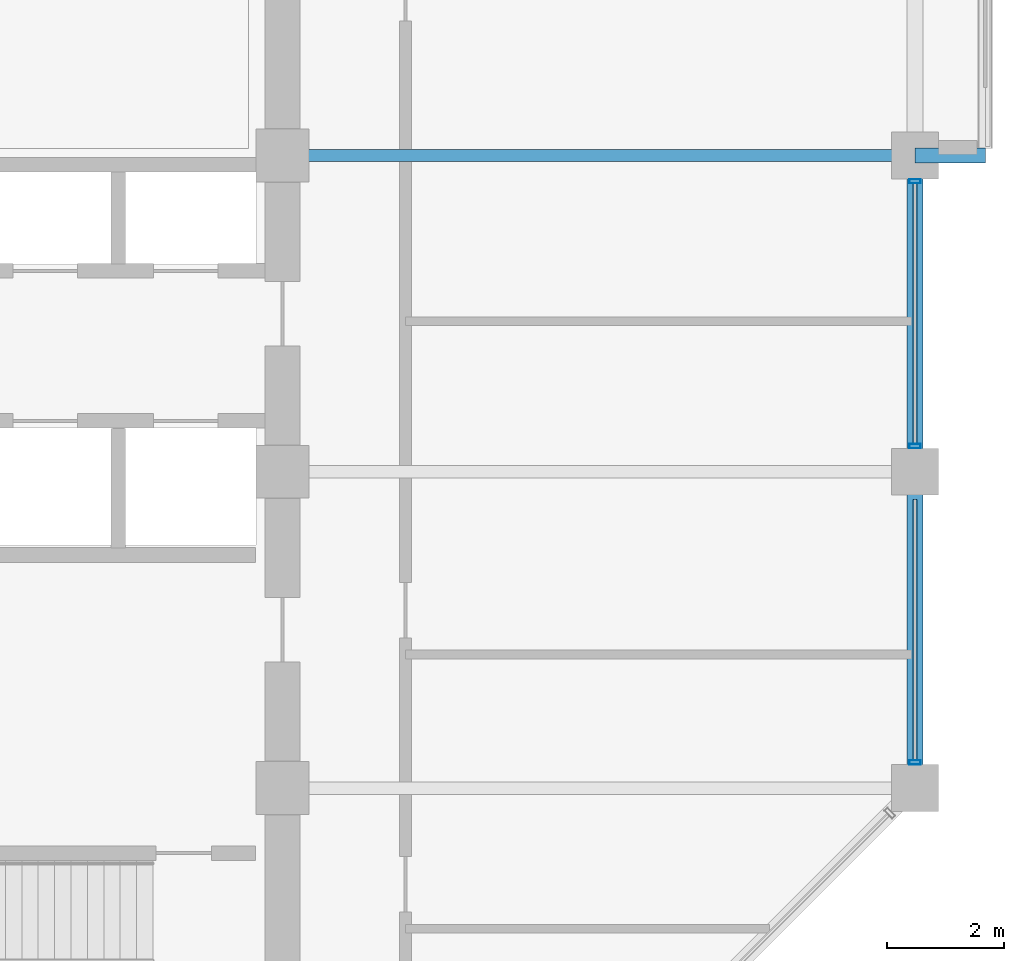
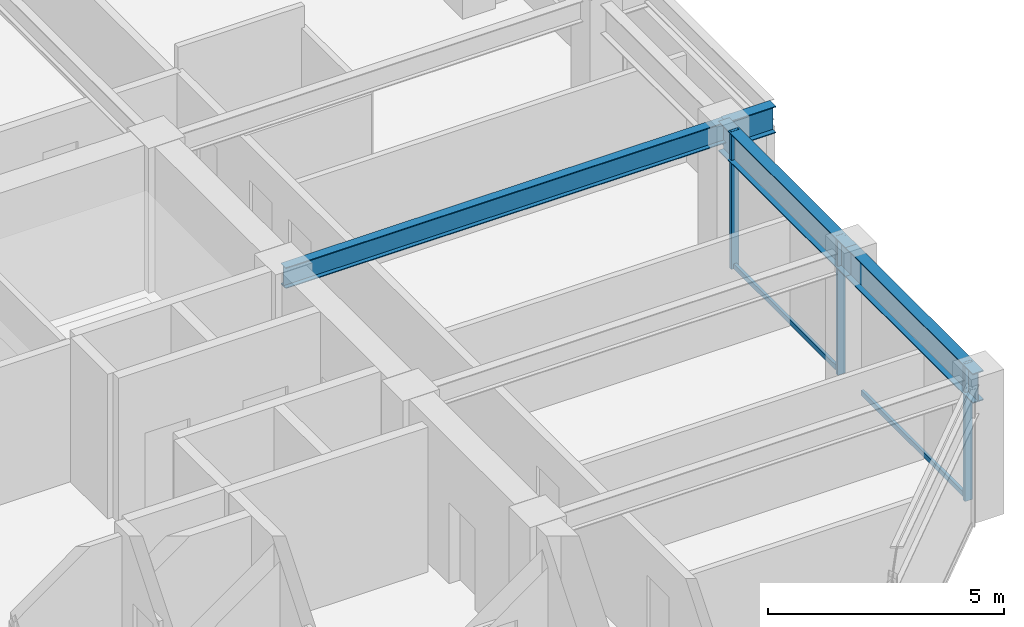
# One storey, part 12 of 30: 5 members, 4 beams, 1 element without a shape of its own.
"""IFC4 building model written with IfcOpenShell, lengths in metres."""

from ifc_helpers import new_model, si_unit, direction, frame, origin, origin_2d, place, context, subcontext, project, spatial, hollow_rectangle, i_section, extrude, material, layer, layer_set, material_profile, profile_set, type_object, element, aggregate, save


model = new_model("IFC4")

# Units and contexts
model_context = context("Model", 3, precision=1e-05, world=origin(), true_north=direction((0.0, 1.0)))
body_context = subcontext(model_context, "Body", "Model", "MODEL_VIEW")
ifc_project = project(units=[si_unit("LENGTHUNIT", "METRE"), si_unit("AREAUNIT", "SQUARE_METRE"), si_unit("VOLUMEUNIT", "CUBIC_METRE"), si_unit("PLANEANGLEUNIT", "RADIAN"), si_unit("MASSUNIT", "GRAM", prefix="KILO")], contexts=[model_context])

# Site, building, storey
site_placement = place(None, origin())
site = spatial("IfcSite", under=ifc_project, at=site_placement, CompositionType="ELEMENT")
building_placement = place(site_placement, origin())
building = spatial("IfcBuilding", under=site, at=building_placement, Name="Surkhivell Harbour Commons", CompositionType="ELEMENT")
storey_placement = place(building_placement, frame((0.0, 0.0, 227.25)))
storey = spatial("IfcBuildingStorey", under=building, at=storey_placement, Name="L59", CompositionType="ELEMENT", Elevation=227.25)

# Beams
ifc_material_1 = material(Name="Steel S460", Category="steel")
ifc_material_profile_1 = material_profile(ifc_material_1, i_section(OverallWidth=0.256103515625, OverallDepth=0.693115234375, WebThickness=0.014404296875, FlangeThickness=0.023681640625, at=origin_2d()), Name="UB686x254x170")
ifc_profile_set_1 = profile_set([ifc_material_profile_1], Name="Steel S460")
beam_type_1 = type_object("IfcBeamType", Name="BM-CNT-686", PredefinedType="BEAM", material=ifc_profile_set_1)
beam_1_placement = place(storey_placement, frame((21.60009765625, 5.39990234375, 3.223388671875), z_axis=(1.0, 0.0, 0.0), x_axis=(0.0, 1.0, 0.0)))
element("IfcBeam", 1, at=beam_1_placement, inside=storey, type_object=beam_type_1, Name="L59 Box Cantilever Outrigger (21.6,5.4)", PredefinedType="BEAM", context=body_context, shape_type="SweptSolid", body=[
    extrude(i_section(OverallWidth=0.256103515625, OverallDepth=0.693115234375, WebThickness=0.014404296875, FlangeThickness=0.023681640625, at=origin_2d()), origin(), (0.0, 0.0, 1.0), 1.199951171875),
])
ifc_material_2 = material(Name="Steel S355", Category="steel")
ifc_material_profile_2 = material_profile(ifc_material_2, i_section(OverallWidth=0.2119140625, OverallDepth=0.5439453125, WebThickness=0.0126953125, FlangeThickness=0.021240234375, at=origin_2d()), Name="UB533x210x122")
ifc_profile_set_2 = profile_set([ifc_material_profile_2], Name="Steel S355")
beam_type_2 = type_object("IfcBeamType", Name="BM-GRD-533A", PredefinedType="BEAM", material=ifc_profile_set_2)
beam_2_placement = place(storey_placement, frame((10.800048828125, 5.39990234375, 3.298095703125), z_axis=(1.0, 0.0, 0.0), x_axis=(0.0, 1.0, 0.0)))
element("IfcBeam", 2, at=beam_2_placement, inside=storey, type_object=beam_type_2, Name="L59 Floor Girder (10.8,5.4)", PredefinedType="BEAM", context=body_context, shape_type="SweptSolid", body=[
    extrude(i_section(OverallWidth=0.2119140625, OverallDepth=0.5439453125, WebThickness=0.0126953125, FlangeThickness=0.021240234375, at=origin_2d()), origin(), (0.0, 0.0, 1.0), 10.800048828125),
])
ifc_material_profile_3 = material_profile(ifc_material_2, i_section(OverallWidth=0.26806640625, OverallDepth=0.77001953125, WebThickness=0.015625, FlangeThickness=0.025390625, at=origin_2d()), Name="UB762x267x197")
ifc_profile_set_3 = profile_set([ifc_material_profile_3], Name="Steel S355")
beam_type_3 = type_object("IfcBeamType", Name="BM-SPN-762", PredefinedType="SPANDREL", material=ifc_profile_set_3)
for number, where, z_axis, x_axis, name in (
    (3, (21.60009765625, -5.39990234375, 3.18505859375), (0.0, 1.0, 0.0), (-1.0, 0.0, 0.0), "L59 Tube Spandrel (21.6,-5.4)"),
    (4, (21.60009765625, 0.0, 3.18505859375), (0.0, 1.0, 0.0), (-1.0, 0.0, 0.0), "L59 Tube Spandrel (21.6,0.0)"),
):
    element("IfcBeam", number, at=place(storey_placement, frame(where, z_axis=z_axis, x_axis=x_axis)), inside=storey, type_object=beam_type_3, Name=name, PredefinedType="SPANDREL", context=body_context, shape_type="SweptSolid", body=[
        extrude(i_section(OverallWidth=0.26806640625, OverallDepth=0.77001953125, WebThickness=0.015625, FlangeThickness=0.025390625, at=origin_2d()), origin(), (0.0, 0.0, 1.0), 5.39990234375),
    ])

# Curtain wall, members
ifc_material_3 = material(Name="Anodised pale-metal aluminium and insulated glazing", Category="aluminium")
ifc_layer = layer(ifc_material_3, 0.18994140625)
ifc_layer_set = layer_set([ifc_layer], Name="Anodised pale-metal aluminium and insulated glazing")
curtain_wall_type = type_object("IfcCurtainWallType", Name="CW-SYS-Z3", PredefinedType="NOTDEFINED", material=ifc_layer_set)
curtain_wall_placement = place(storey_placement, origin())
curtain_wall = element("IfcCurtainWall", 5, at=curtain_wall_placement, inside=storey, type_object=curtain_wall_type, Name="L59 Curtain Wall CW-L59-E02R1", PredefinedType="NOTDEFINED")
ifc_material_4 = material(Name="Anodised pale-metal aluminium alloy 6063-T6", Category="aluminium")
ifc_material_profile_4 = material_profile(ifc_material_4, hollow_rectangle(XDim=0.074951171875, YDim=0.18994140625, WallThickness=0.00390625, at=origin_2d()), Name="ALU-MULL-75x190")
ifc_profile_set_4 = profile_set([ifc_material_profile_4], Name="Anodised pale-metal aluminium alloy 6063-T6")
member_type_1 = type_object("IfcMemberType", Name="CWM-190", PredefinedType="MULLION", material=ifc_profile_set_4)
member_1_placement = place(storey_placement, frame((21.60009765625, -4.96044921875, 0.0), z_axis=(0.0, 0.0, 1.0), x_axis=(0.0, 1.0, 0.0)))
member_1 = element("IfcMember", 6, at=member_1_placement, type_object=member_type_1, Name="CW-Z3 mullion 1", PredefinedType="MULLION", context=body_context, shape_type="SweptSolid", body=[
    extrude(hollow_rectangle(XDim=0.074951171875, YDim=0.18994140625, WallThickness=0.00390625, at=origin_2d()), origin(), (0.0, 0.0, 1.0), 3.570068359375),
])
member_2_placement = place(storey_placement, frame((21.60009765625, 0.439453125, 0.0), z_axis=(0.0, 0.0, 1.0), x_axis=(0.0, 1.0, 0.0)))
member_2 = element("IfcMember", 7, at=member_2_placement, type_object=member_type_1, Name="CW-Z3 mullion 2", PredefinedType="MULLION", context=body_context, shape_type="SweptSolid", body=[
    extrude(hollow_rectangle(XDim=0.074951171875, YDim=0.18994140625, WallThickness=0.00390625, at=origin_2d()), origin(), (0.0, 0.0, 1.0), 3.570068359375),
])
member_3_placement = place(storey_placement, frame((21.60009765625, 4.96044921875, 0.0), z_axis=(0.0, 0.0, 1.0), x_axis=(0.0, 1.0, 0.0)))
member_3 = element("IfcMember", 8, at=member_3_placement, type_object=member_type_1, Name="CW-Z3 mullion 3", PredefinedType="MULLION", context=body_context, shape_type="SweptSolid", body=[
    extrude(hollow_rectangle(XDim=0.074951171875, YDim=0.18994140625, WallThickness=0.00390625, at=origin_2d()), origin(), (0.0, 0.0, 1.0), 3.570068359375),
])
ifc_material_5 = material(Name="Champagne anodised aluminium alloy 6063-T6", Category="aluminium")
ifc_material_profile_5 = material_profile(ifc_material_5, hollow_rectangle(XDim=0.070068359375, YDim=0.1298828125, WallThickness=0.00341796875, at=origin_2d()), Name="ALU-TRAN-70x130")
ifc_profile_set_5 = profile_set([ifc_material_profile_5], Name="Champagne anodised aluminium alloy 6063-T6")
member_type_2 = type_object("IfcMemberType", Name="CWT-130", PredefinedType="USERDEFINED", material=ifc_profile_set_5)
member_4_placement = place(storey_placement, frame((21.60009765625, -4.923095703125, 0.06494140625), z_axis=(0.0, 1.0, 0.0), x_axis=(-1.0, 0.0, 0.0)))
member_4 = element("IfcMember", 9, at=member_4_placement, type_object=member_type_2, Name="CW-Z3 transom 1.1", ObjectType="TRANSOM", PredefinedType="USERDEFINED", context=body_context, shape_type="SweptSolid", body=[
    extrude(hollow_rectangle(XDim=0.070068359375, YDim=0.1298828125, WallThickness=0.00341796875, at=origin_2d()), origin(), (0.0, 0.0, 1.0), 4.446044921875),
])
member_5_placement = place(storey_placement, frame((21.60009765625, 0.47705078125, 0.06494140625), z_axis=(0.0, 1.0, 0.0), x_axis=(-1.0, 0.0, 0.0)))
member_5 = element("IfcMember", 10, at=member_5_placement, type_object=member_type_2, Name="CW-Z3 transom 2.1", ObjectType="TRANSOM", PredefinedType="USERDEFINED", context=body_context, shape_type="SweptSolid", body=[
    extrude(hollow_rectangle(XDim=0.070068359375, YDim=0.1298828125, WallThickness=0.00341796875, at=origin_2d()), origin(), (0.0, 0.0, 1.0), 4.446044921875),
])
aggregate(curtain_wall, [member_1, member_4, member_2, member_3, member_5])

save(model, "model.ifc")
